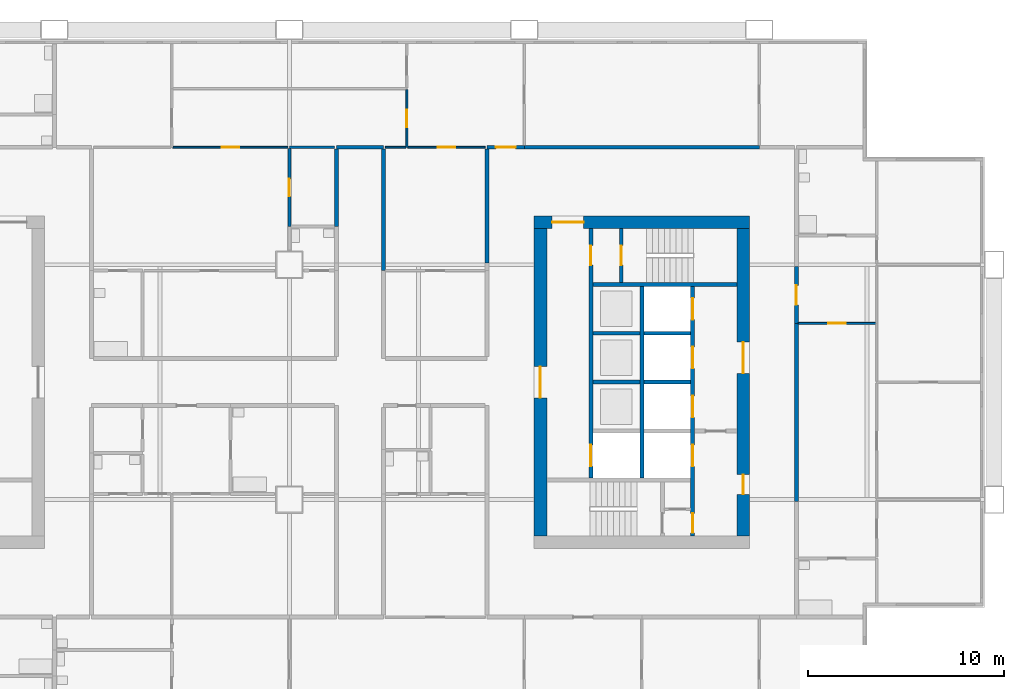
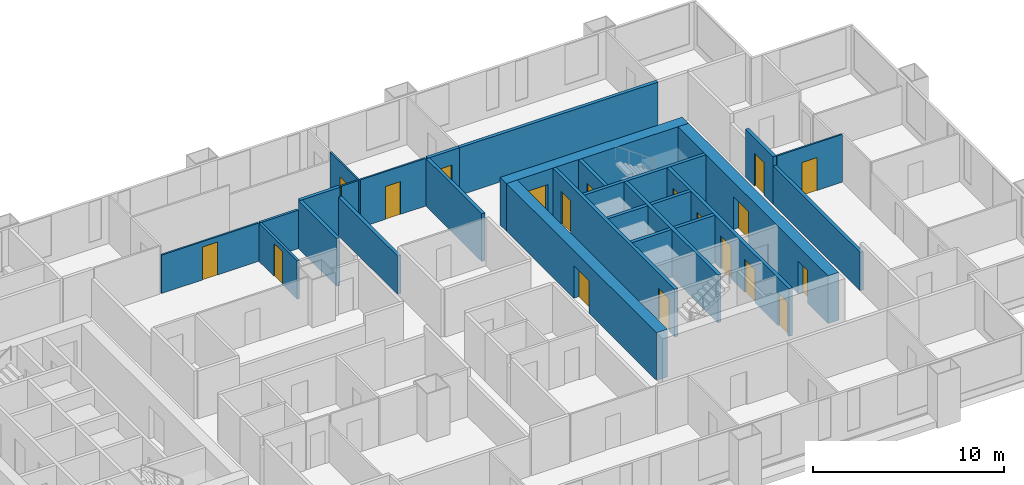
# One storey, part 7 of 13: 27 walls, 19 doors, 19 openings.
"""IFC4 building model written with IfcOpenShell, lengths in metres."""

from ifc_helpers import new_model, si_unit, direction, frame, frame_2d, origin, place, context, subcontext, project, spatial, rectangle, extrude, material, layer, layer_set, type_object, element, fill, save


model = new_model("IFC4")

# Units and contexts
model_context = context("Model", 3, precision=1e-05, world=origin(), true_north=direction((0.0, 1.0)))
body_context = subcontext(model_context, "Body", "Model", "MODEL_VIEW")
ifc_project = project(units=[si_unit("LENGTHUNIT", "METRE"), si_unit("AREAUNIT", "SQUARE_METRE"), si_unit("VOLUMEUNIT", "CUBIC_METRE"), si_unit("PLANEANGLEUNIT", "RADIAN"), si_unit("MASSUNIT", "GRAM", prefix="KILO")], contexts=[model_context])

# Site, building, storey
site_placement = place(None, origin())
site = spatial("IfcSite", under=ifc_project, at=site_placement, CompositionType="ELEMENT")
building_placement = place(site_placement, origin())
building = spatial("IfcBuilding", under=site, at=building_placement, Name="Kitamizu Gate Tower and Museum", CompositionType="ELEMENT")
storey_placement = place(building_placement, frame((0.0, 0.0, 144.89990234375)))
storey = spatial("IfcBuildingStorey", under=building, at=storey_placement, Name="L38", CompositionType="ELEMENT", Elevation=144.89990234375)

# Wall, opening, door
ifc_material_1 = material(Name="Concrete Fc60", Category="concrete")
ifc_layer_1 = layer(ifc_material_1, 0.64990234375)
ifc_layer_set_1 = layer_set([ifc_layer_1], Name="Concrete Fc60")
wall_type_1 = type_object("IfcWallType", Name="Core wall 650", PredefinedType="SHEAR", material=ifc_layer_set_1)
wall_1_placement = place(storey_placement, frame((59.5, 38.175048828125, 0.0), z_axis=(0.0, 0.0, 1.0), x_axis=(-1.0, 0.0, 0.0)))
wall_1 = element("IfcWall", 1, at=wall_1_placement, inside=storey, type_object=wall_type_1, Name="Core wall EN", PredefinedType="SHEAR", context=body_context, shape_type="SweptSolid", body=[
    extrude(rectangle(XDim=11.0, YDim=0.64990234375, at=frame_2d((5.5, 0.0))), origin(), (0.0, 0.0, 1.0), 3.050048828125),
])
opening_1_placement = place(wall_1_placement, frame((8.47509765625, 0.0, 0.0)))
opening_1 = element("IfcOpeningElement", 2, at=opening_1_placement, cuts=wall_1, Name="Opening L38-073", PredefinedType="OPENING", context=body_context, shape_type="SweptSolid", body=[
    extrude(rectangle(XDim=1.60009765625, YDim=2.10009765625, at=frame_2d((0.800048828125, 1.050048828125))), frame((0.0, 0.3349609375, 0.0), z_axis=(0.0, -1.0, 0.0), x_axis=(1.0, 0.0, 0.0)), (0.0, 0.0, 1.0), 0.669921875),
])
ifc_material_2 = material(Name="Timber door set", Category="wood")
door_type_1 = type_object("IfcDoorType", Name="Entrance door 1600", OperationType="DOUBLE_DOOR_SINGLE_SWING", PredefinedType="DOOR", material=ifc_material_2)
door_1_placement = place(opening_1_placement, origin())
door_1 = element("IfcDoor", 3, at=door_1_placement, inside=storey, type_object=door_type_1, Name="Lobby door L38-073", OperationType="DOUBLE_DOOR_SINGLE_SWING", OverallHeight=2.10009765625, OverallWidth=1.60009765625, PredefinedType="DOOR", context=body_context, shape_type="SweptSolid", body=[
    extrude(rectangle(XDim=1.60009765625, YDim=2.10009765625, at=frame_2d((0.800048828125, 1.050048828125))), frame((0.0, 0.02490234375, 0.0), z_axis=(0.0, -1.0, 0.0), x_axis=(1.0, 0.0, 0.0)), (0.0, 0.0, 1.0), 0.050048828125),
])
fill(opening_1, door_1)

# Wall, openings, doors
wall_2_placement = place(storey_placement, frame((59.175048828125, 22.14990234375, 0.0), z_axis=(0.0, 0.0, 1.0), x_axis=(0.0, 1.0, 0.0)))
wall_2 = element("IfcWall", 4, at=wall_2_placement, inside=storey, type_object=wall_type_1, Name="Core wall EOUT", PredefinedType="SHEAR", context=body_context, shape_type="SweptSolid", body=[
    extrude(rectangle(XDim=15.7001953125, YDim=0.64990234375, at=frame_2d((7.85009765625, 0.0))), origin(), (0.0, 0.0, 1.0), 3.050048828125),
])
opening_2_placement = place(wall_2_placement, frame((8.300048828125, 0.0, 0.0)))
opening_2 = element("IfcOpeningElement", 5, at=opening_2_placement, cuts=wall_2, Name="Opening L38-071", PredefinedType="OPENING", context=body_context, shape_type="SweptSolid", body=[
    extrude(rectangle(XDim=1.60009765625, YDim=2.10009765625, at=frame_2d((0.800048828125, 1.050048828125))), frame((0.0, 0.3349609375, 0.0), z_axis=(0.0, -1.0, 0.0), x_axis=(1.0, 0.0, 0.0)), (0.0, 0.0, 1.0), 0.669921875),
])
opening_3_placement = place(wall_2_placement, frame((2.125, 0.0, 0.0)))
opening_3 = element("IfcOpeningElement", 6, at=opening_3_placement, cuts=wall_2, Name="Opening L38-072", PredefinedType="OPENING", context=body_context, shape_type="SweptSolid", body=[
    extrude(rectangle(XDim=1.0, YDim=2.10009765625, at=frame_2d((0.5, 1.050048828125))), frame((0.0, 0.3349609375, 0.0), z_axis=(0.0, -1.0, 0.0), x_axis=(1.0, 0.0, 0.0)), (0.0, 0.0, 1.0), 0.669921875),
])
door_2_placement = place(opening_2_placement, origin())
door_2 = element("IfcDoor", 7, at=door_2_placement, inside=storey, type_object=door_type_1, Name="Lobby door L38-071", OperationType="DOUBLE_DOOR_SINGLE_SWING", OverallHeight=2.10009765625, OverallWidth=1.60009765625, PredefinedType="DOOR", context=body_context, shape_type="SweptSolid", body=[
    extrude(rectangle(XDim=1.60009765625, YDim=2.10009765625, at=frame_2d((0.800048828125, 1.050048828125))), frame((0.0, 0.02490234375, 0.0), z_axis=(0.0, -1.0, 0.0), x_axis=(1.0, 0.0, 0.0)), (0.0, 0.0, 1.0), 0.050048828125),
])
fill(opening_2, door_2)
ifc_material_3 = material(Name="Hollow metal door set")
door_type_2 = type_object("IfcDoorType", Name="Fire door 1000", OperationType="NOTDEFINED", PredefinedType="DOOR", material=ifc_material_3)
door_3_placement = place(opening_3_placement, origin())
door_3 = element("IfcDoor", 8, at=door_3_placement, inside=storey, type_object=door_type_2, Name="Fire-fighting lobby door L38-072", OperationType="SINGLE_SWING_LEFT", OverallHeight=2.10009765625, OverallWidth=1.0, PredefinedType="DOOR", context=body_context, shape_type="SweptSolid", body=[
    extrude(rectangle(XDim=1.0, YDim=2.10009765625, at=frame_2d((0.5, 1.050048828125))), frame((0.0, 0.02490234375, 0.0), z_axis=(0.0, -1.0, 0.0), x_axis=(1.0, 0.0, 0.0)), (0.0, 0.0, 1.0), 0.050048828125),
])
fill(opening_3, door_3)

# Wall, opening, door
wall_3_placement = place(storey_placement, frame((48.824951171875, 22.14990234375, 0.0), z_axis=(0.0, 0.0, 1.0), x_axis=(0.0, 1.0, 0.0)))
wall_3 = element("IfcWall", 9, at=wall_3_placement, inside=storey, type_object=wall_type_1, Name="Core wall EARC", PredefinedType="SHEAR", context=body_context, shape_type="SweptSolid", body=[
    extrude(rectangle(XDim=15.7001953125, YDim=0.64990234375, at=frame_2d((7.85009765625, 0.0))), origin(), (0.0, 0.0, 1.0), 3.050048828125),
])
opening_4_placement = place(wall_3_placement, frame((7.050048828125, 0.0, 0.0)))
opening_4 = element("IfcOpeningElement", 10, at=opening_4_placement, cuts=wall_3, Name="Opening L38-074", PredefinedType="OPENING", context=body_context, shape_type="SweptSolid", body=[
    extrude(rectangle(XDim=1.60009765625, YDim=2.10009765625, at=frame_2d((0.800048828125, 1.050048828125))), frame((0.0, 0.3349609375, 0.0), z_axis=(0.0, -1.0, 0.0), x_axis=(1.0, 0.0, 0.0)), (0.0, 0.0, 1.0), 0.669921875),
])
door_4_placement = place(opening_4_placement, origin())
door_4 = element("IfcDoor", 11, at=door_4_placement, inside=storey, type_object=door_type_1, Name="Lobby door L38-074", OperationType="DOUBLE_DOOR_SINGLE_SWING", OverallHeight=2.10009765625, OverallWidth=1.60009765625, PredefinedType="DOOR", context=body_context, shape_type="SweptSolid", body=[
    extrude(rectangle(XDim=1.60009765625, YDim=2.10009765625, at=frame_2d((0.800048828125, 1.050048828125))), frame((0.0, 0.02490234375, 0.0), z_axis=(0.0, -1.0, 0.0), x_axis=(1.0, 0.0, 0.0)), (0.0, 0.0, 1.0), 0.050048828125),
])
fill(opening_4, door_4)

ifc_material_4 = material(Name="Gypsum board on galvanised stud")
ifc_layer_2 = layer(ifc_material_4, 0.10009765625)
ifc_layer_set_2 = layer_set([ifc_layer_2], Name="Gypsum board on galvanised stud")
wall_type_2 = type_object("IfcWallType", Name="Partition 100 NOT RATED", PredefinedType="PARTITIONING", material=ifc_layer_set_2)
wall_4_placement = place(storey_placement, frame((65.949951171875, 33.0, 0.0), z_axis=(0.0, 0.0, 1.0), x_axis=(-1.0, 0.0, 0.0)))
wall_4 = element("IfcWall", 12, at=wall_4_placement, inside=storey, type_object=wall_type_2, Name="Partition L38-096", PredefinedType="PARTITIONING", context=body_context, shape_type="SweptSolid", body=[
    extrude(rectangle(XDim=3.949951171875, YDim=0.10009765625, at=frame_2d((1.97509765625, 0.0))), origin(), (0.0, 0.0, 1.0), 3.050048828125),
])
opening_5_placement = place(wall_4_placement, frame((1.52490234375, 0.0, 0.0)))
opening_5 = element("IfcOpeningElement", 13, at=opening_5_placement, cuts=wall_4, Name="Opening L38-031", PredefinedType="OPENING", context=body_context, shape_type="SweptSolid", body=[
    extrude(rectangle(XDim=0.89990234375, YDim=2.10009765625, at=frame_2d((0.449951171875, 1.050048828125))), frame((0.0, 0.06005859375, 0.0), z_axis=(0.0, -1.0, 0.0), x_axis=(1.0, 0.0, 0.0)), (0.0, 0.0, 1.0), 0.1201171875),
])
ifc_material_5 = material(Name="Timber door set", Category="wood")
door_type_3 = type_object("IfcDoorType", Name="Room door 900", OperationType="NOTDEFINED", PredefinedType="DOOR", material=ifc_material_5)
door_5_placement = place(opening_5_placement, frame((0.89990234375, 0.0, 0.0), x_axis=(-1.0, 0.0, 0.0)))
door_5 = element("IfcDoor", 14, at=door_5_placement, inside=storey, type_object=door_type_3, Name="Door L38-031", OperationType="SINGLE_SWING_LEFT", OverallHeight=2.10009765625, OverallWidth=0.89990234375, PredefinedType="DOOR", context=body_context, shape_type="SweptSolid", body=[
    extrude(rectangle(XDim=0.89990234375, YDim=2.10009765625, at=frame_2d((0.449951171875, 1.050048828125))), frame((0.0, 0.02490234375, 0.0), z_axis=(0.0, -1.0, 0.0), x_axis=(1.0, 0.0, 0.0)), (0.0, 0.0, 1.0), 0.050048828125),
])
fill(opening_5, door_5)

wall_5_placement = place(storey_placement, frame((42.0, 42.0, 0.0), z_axis=(0.0, 0.0, 1.0), x_axis=(0.0, 1.0, 0.0)))
wall_5 = element("IfcWall", 15, at=wall_5_placement, inside=storey, type_object=wall_type_2, Name="Partition L38-119", PredefinedType="PARTITIONING", context=body_context, shape_type="SweptSolid", body=[
    extrude(rectangle(XDim=2.949951171875, YDim=0.10009765625, at=frame_2d((1.47509765625, 0.0))), origin(), (0.0, 0.0, 1.0), 3.050048828125),
])
opening_6_placement = place(wall_5_placement, frame((1.02490234375, 0.0, 0.0)))
opening_6 = element("IfcOpeningElement", 16, at=opening_6_placement, cuts=wall_5, Name="Opening L38-044", PredefinedType="OPENING", context=body_context, shape_type="SweptSolid", body=[
    extrude(rectangle(XDim=0.89990234375, YDim=2.10009765625, at=frame_2d((0.449951171875, 1.050048828125))), frame((0.0, 0.06005859375, 0.0), z_axis=(0.0, -1.0, 0.0), x_axis=(1.0, 0.0, 0.0)), (0.0, 0.0, 1.0), 0.1201171875),
])
door_6_placement = place(opening_6_placement, origin())
door_6 = element("IfcDoor", 17, at=door_6_placement, inside=storey, type_object=door_type_3, Name="Door L38-044", OperationType="SINGLE_SWING_RIGHT", OverallHeight=2.10009765625, OverallWidth=0.89990234375, PredefinedType="DOOR", context=body_context, shape_type="SweptSolid", body=[
    extrude(rectangle(XDim=0.89990234375, YDim=2.10009765625, at=frame_2d((0.449951171875, 1.050048828125))), frame((0.0, 0.02490234375, 0.0), z_axis=(0.0, -1.0, 0.0), x_axis=(1.0, 0.0, 0.0)), (0.0, 0.0, 1.0), 0.050048828125),
])
fill(opening_6, door_6)

wall_6_placement = place(storey_placement, frame((30.050048828125, 42.0, 0.0), z_axis=(0.0, 0.0, 1.0), x_axis=(1.0, 0.0, 0.0)))
wall_6 = element("IfcWall", 18, at=wall_6_placement, inside=storey, type_object=wall_type_2, Name="Partition L38-120", PredefinedType="PARTITIONING", context=body_context, shape_type="SweptSolid", body=[
    extrude(rectangle(XDim=5.875, YDim=0.10009765625, at=frame_2d((2.9375, 0.0))), origin(), (0.0, 0.0, 1.0), 2.4501953125),
])
opening_7_placement = place(wall_6_placement, frame((2.487548828125, 0.0, 0.0)))
opening_7 = element("IfcOpeningElement", 19, at=opening_7_placement, cuts=wall_6, Name="Opening L38-049", PredefinedType="OPENING", context=body_context, shape_type="SweptSolid", body=[
    extrude(rectangle(XDim=0.89990234375, YDim=2.10009765625, at=frame_2d((0.449951171875, 1.050048828125))), frame((0.0, 0.06005859375, 0.0), z_axis=(0.0, -1.0, 0.0), x_axis=(1.0, 0.0, 0.0)), (0.0, 0.0, 1.0), 0.1201171875),
])
door_7_placement = place(opening_7_placement, origin())
door_7 = element("IfcDoor", 20, at=door_7_placement, inside=storey, type_object=door_type_3, Name="Door L38-049", OperationType="SINGLE_SWING_RIGHT", OverallHeight=2.10009765625, OverallWidth=0.89990234375, PredefinedType="DOOR", context=body_context, shape_type="SweptSolid", body=[
    extrude(rectangle(XDim=0.89990234375, YDim=2.10009765625, at=frame_2d((0.449951171875, 1.050048828125))), frame((0.0, 0.02490234375, 0.0), z_axis=(0.0, -1.0, 0.0), x_axis=(1.0, 0.0, 0.0)), (0.0, 0.0, 1.0), 0.050048828125),
])
fill(opening_7, door_7)

# Wall
wall_7_placement = place(storey_placement, frame((40.89990234375, 42.0, 0.0), z_axis=(0.0, 0.0, 1.0), x_axis=(1.0, 0.0, 0.0)))
element("IfcWall", 21, at=wall_7_placement, inside=storey, type_object=wall_type_2, Name="Partition L38-122", PredefinedType="PARTITIONING", context=body_context, shape_type="SweptSolid", body=[
    extrude(rectangle(XDim=1.050048828125, YDim=0.10009765625, at=frame_2d((0.52490234375, 0.0))), origin(), (0.0, 0.0, 1.0), 3.050048828125),
])

# Wall, opening, door
wall_8_placement = place(storey_placement, frame((42.050048828125, 42.0, 0.0), z_axis=(0.0, 0.0, 1.0), x_axis=(1.0, 0.0, 0.0)))
wall_8 = element("IfcWall", 22, at=wall_8_placement, inside=storey, type_object=wall_type_2, Name="Partition L38-126", PredefinedType="PARTITIONING", context=body_context, shape_type="SweptSolid", body=[
    extrude(rectangle(XDim=3.949951171875, YDim=0.10009765625, at=frame_2d((1.97509765625, 0.0))), origin(), (0.0, 0.0, 1.0), 3.050048828125),
])
opening_8_placement = place(wall_8_placement, frame((1.52490234375, 0.0, 0.0)))
opening_8 = element("IfcOpeningElement", 23, at=opening_8_placement, cuts=wall_8, Name="Opening L38-047", PredefinedType="OPENING", context=body_context, shape_type="SweptSolid", body=[
    extrude(rectangle(XDim=0.89990234375, YDim=2.10009765625, at=frame_2d((0.449951171875, 1.050048828125))), frame((0.0, 0.06005859375, 0.0), z_axis=(0.0, -1.0, 0.0), x_axis=(1.0, 0.0, 0.0)), (0.0, 0.0, 1.0), 0.1201171875),
])
door_8_placement = place(opening_8_placement, frame((0.89990234375, 0.0, 0.0), x_axis=(-1.0, 0.0, 0.0)))
door_8 = element("IfcDoor", 24, at=door_8_placement, inside=storey, type_object=door_type_3, Name="Door L38-047", OperationType="SINGLE_SWING_RIGHT", OverallHeight=2.10009765625, OverallWidth=0.89990234375, PredefinedType="DOOR", context=body_context, shape_type="SweptSolid", body=[
    extrude(rectangle(XDim=0.89990234375, YDim=2.10009765625, at=frame_2d((0.449951171875, 1.050048828125))), frame((0.0, 0.02490234375, 0.0), z_axis=(0.0, -1.0, 0.0), x_axis=(1.0, 0.0, 0.0)), (0.0, 0.0, 1.0), 0.050048828125),
])
fill(opening_8, door_8)

# Wall
ifc_material_6 = material(Name="Gypsum board on galvanised stud")
ifc_layer_3 = layer(ifc_material_6, 0.14990234375)
ifc_layer_set_3 = layer_set([ifc_layer_3], Name="Gypsum board on galvanised stud")
wall_type_3 = type_object("IfcWallType", Name="Partition 150", PredefinedType="PARTITIONING", material=ifc_layer_set_3)
wall_9_placement = place(storey_placement, frame((36.0, 42.0, 0.0), z_axis=(0.0, 0.0, 1.0), x_axis=(1.0, 0.0, 0.0)))
element("IfcWall", 25, at=wall_9_placement, inside=storey, type_object=wall_type_3, Name="Partition L38-121", PredefinedType="PARTITIONING", context=body_context, shape_type="SweptSolid", body=[
    extrude(rectangle(XDim=2.300048828125, YDim=0.14990234375, at=frame_2d((1.14990234375, 0.0))), origin(), (0.0, 0.0, 1.0), 2.4501953125),
])

# Wall, opening, door
wall_10_placement = place(storey_placement, frame((36.0, 37.949951171875, 0.0), z_axis=(0.0, 0.0, 1.0), x_axis=(0.0, 1.0, 0.0)))
wall_10 = element("IfcWall", 26, at=wall_10_placement, inside=storey, type_object=wall_type_3, Name="Partition L38-132", PredefinedType="PARTITIONING", context=body_context, shape_type="SweptSolid", body=[
    extrude(rectangle(XDim=3.97509765625, YDim=0.14990234375, at=frame_2d((1.987548828125, 0.0))), origin(), (0.0, 0.0, 1.0), 2.4501953125),
])
opening_9_placement = place(wall_10_placement, frame((1.53759765625, 0.0, 0.0)))
opening_9 = element("IfcOpeningElement", 27, at=opening_9_placement, cuts=wall_10, Name="Opening L38-050", PredefinedType="OPENING", context=body_context, shape_type="SweptSolid", body=[
    extrude(rectangle(XDim=0.89990234375, YDim=2.10009765625, at=frame_2d((0.449951171875, 1.050048828125))), frame((0.0, 0.0849609375, 0.0), z_axis=(0.0, -1.0, 0.0), x_axis=(1.0, 0.0, 0.0)), (0.0, 0.0, 1.0), 0.169921875),
])
ifc_material_7 = material(Name="Timber door set", Category="wood")
door_type_4 = type_object("IfcDoorType", Name="Bathroom door 900", OperationType="NOTDEFINED", PredefinedType="DOOR", material=ifc_material_7)
door_9_placement = place(opening_9_placement, frame((0.89990234375, 0.0, 0.0), x_axis=(-1.0, 0.0, 0.0)))
door_9 = element("IfcDoor", 28, at=door_9_placement, inside=storey, type_object=door_type_4, Name="Bathroom door L38-050", OperationType="SINGLE_SWING_RIGHT", OverallHeight=2.10009765625, OverallWidth=0.89990234375, PredefinedType="DOOR", context=body_context, shape_type="SweptSolid", body=[
    extrude(rectangle(XDim=0.89990234375, YDim=2.10009765625, at=frame_2d((0.449951171875, 1.050048828125))), frame((0.0, 0.02490234375, 0.0), z_axis=(0.0, -1.0, 0.0), x_axis=(1.0, 0.0, 0.0)), (0.0, 0.0, 1.0), 0.050048828125),
])
fill(opening_9, door_9)

# Wall
ifc_material_8 = material(Name="Gypsum board on galvanised stud")
ifc_layer_4 = layer(ifc_material_8, 0.199951171875)
ifc_layer_set_4 = layer_set([ifc_layer_4], Name="Gypsum board on galvanised stud")
wall_type_4 = type_object("IfcWallType", Name="Partition 200", PredefinedType="PARTITIONING", material=ifc_layer_set_4)
wall_11_placement = place(storey_placement, frame((61.89990234375, 33.0, 0.0), z_axis=(0.0, 0.0, 1.0), x_axis=(0.0, -1.0, 0.0)))
element("IfcWall", 29, at=wall_11_placement, inside=storey, type_object=wall_type_4, Name="Partition L38-097", PredefinedType="PARTITIONING", context=body_context, shape_type="SweptSolid", body=[
    extrude(rectangle(XDim=9.10009765625, YDim=0.199951171875, at=frame_2d((4.550048828125, 0.0))), origin(), (0.0, 0.0, 1.0), 2.4501953125),
])

# Wall, opening, door
wall_12_placement = place(storey_placement, frame((61.89990234375, 35.89990234375, 0.0), z_axis=(0.0, 0.0, 1.0), x_axis=(0.0, -1.0, 0.0)))
wall_12 = element("IfcWall", 30, at=wall_12_placement, inside=storey, type_object=wall_type_4, Name="Partition L38-101", PredefinedType="PARTITIONING", context=body_context, shape_type="SweptSolid", body=[
    extrude(rectangle(XDim=2.89990234375, YDim=0.199951171875, at=frame_2d((1.449951171875, 0.0))), origin(), (0.0, 0.0, 1.0), 3.050048828125),
])
opening_10_placement = place(wall_12_placement, frame((0.949951171875, 0.0, 0.0)))
opening_10 = element("IfcOpeningElement", 31, at=opening_10_placement, cuts=wall_12, Name="Opening L38-030", PredefinedType="OPENING", context=body_context, shape_type="SweptSolid", body=[
    extrude(rectangle(XDim=1.0, YDim=2.10009765625, at=frame_2d((0.5, 1.050048828125))), frame((0.0, 0.10986328125, 0.0), z_axis=(0.0, -1.0, 0.0), x_axis=(1.0, 0.0, 0.0)), (0.0, 0.0, 1.0), 0.219970703125),
])
ifc_material_9 = material(Name="Timber door set", Category="wood")
door_type_5 = type_object("IfcDoorType", Name="Flat entrance door 1000", OperationType="NOTDEFINED", PredefinedType="DOOR", material=ifc_material_9)
door_10_placement = place(opening_10_placement, origin())
door_10 = element("IfcDoor", 32, at=door_10_placement, inside=storey, type_object=door_type_5, Name="Flat entrance door L38-030", OperationType="SINGLE_SWING_LEFT", OverallHeight=2.10009765625, OverallWidth=1.0, PredefinedType="DOOR", context=body_context, shape_type="SweptSolid", body=[
    extrude(rectangle(XDim=1.0, YDim=2.10009765625, at=frame_2d((0.5, 1.050048828125))), frame((0.0, 0.02490234375, 0.0), z_axis=(0.0, -1.0, 0.0), x_axis=(1.0, 0.0, 0.0)), (0.0, 0.0, 1.0), 0.050048828125),
])
fill(opening_10, door_10)

# Wall
wall_13_placement = place(storey_placement, frame((38.39990234375, 42.0, 0.0), z_axis=(0.0, 0.0, 1.0), x_axis=(1.0, 0.0, 0.0)))
element("IfcWall", 33, at=wall_13_placement, inside=storey, type_object=wall_type_4, Name="Partition L38-123", PredefinedType="PARTITIONING", context=body_context, shape_type="SweptSolid", body=[
    extrude(rectangle(XDim=2.400146484375, YDim=0.199951171875, at=frame_2d((1.2001953125, 0.0))), origin(), (0.0, 0.0, 1.0), 3.050048828125),
])

# Wall, opening, door
wall_14_placement = place(storey_placement, frame((46.10009765625, 42.0, 0.0), z_axis=(0.0, 0.0, 1.0), x_axis=(1.0, 0.0, 0.0)))
wall_14 = element("IfcWall", 34, at=wall_14_placement, inside=storey, type_object=wall_type_4, Name="Partition L38-127", PredefinedType="PARTITIONING", context=body_context, shape_type="SweptSolid", body=[
    extrude(rectangle(XDim=1.89990234375, YDim=0.199951171875, at=frame_2d((0.949951171875, 0.0))), origin(), (0.0, 0.0, 1.0), 3.050048828125),
])
opening_11_placement = place(wall_14_placement, frame((0.449951171875, 0.0, 0.0)))
opening_11 = element("IfcOpeningElement", 35, at=opening_11_placement, cuts=wall_14, Name="Opening L38-042", PredefinedType="OPENING", context=body_context, shape_type="SweptSolid", body=[
    extrude(rectangle(XDim=1.0, YDim=2.10009765625, at=frame_2d((0.5, 1.050048828125))), frame((0.0, 0.10986328125, 0.0), z_axis=(0.0, -1.0, 0.0), x_axis=(1.0, 0.0, 0.0)), (0.0, 0.0, 1.0), 0.219970703125),
])
door_11_placement = place(opening_11_placement, origin())
door_11 = element("IfcDoor", 36, at=door_11_placement, inside=storey, type_object=door_type_5, Name="Flat entrance door L38-042", OperationType="SINGLE_SWING_LEFT", OverallHeight=2.10009765625, OverallWidth=1.0, PredefinedType="DOOR", context=body_context, shape_type="SweptSolid", body=[
    extrude(rectangle(XDim=1.0, YDim=2.10009765625, at=frame_2d((0.5, 1.050048828125))), frame((0.0, 0.02490234375, 0.0), z_axis=(0.0, -1.0, 0.0), x_axis=(1.0, 0.0, 0.0)), (0.0, 0.0, 1.0), 0.050048828125),
])
fill(opening_11, door_11)

# Walls
wall_15_placement = place(storey_placement, frame((48.0, 42.0, 0.0), z_axis=(0.0, 0.0, 1.0), x_axis=(1.0, 0.0, 0.0)))
element("IfcWall", 37, at=wall_15_placement, inside=storey, type_object=wall_type_4, Name="Partition L38-129", PredefinedType="PARTITIONING", context=body_context, shape_type="SweptSolid", body=[
    extrude(rectangle(XDim=12.0, YDim=0.199951171875, at=frame_2d((6.0, 0.0))), origin(), (0.0, 0.0, 1.0), 3.050048828125),
])
wall_16_placement = place(storey_placement, frame((38.39990234375, 37.949951171875, 0.0), z_axis=(0.0, 0.0, 1.0), x_axis=(0.0, 1.0, 0.0)))
element("IfcWall", 38, at=wall_16_placement, inside=storey, type_object=wall_type_4, Name="Partition L38-140", PredefinedType="PARTITIONING", context=body_context, shape_type="SweptSolid", body=[
    extrude(rectangle(XDim=3.949951171875, YDim=0.199951171875, at=frame_2d((1.97509765625, 0.0))), origin(), (0.0, 0.0, 1.0), 3.050048828125),
])
wall_17_placement = place(storey_placement, frame((40.800048828125, 41.89990234375, 0.0), z_axis=(0.0, 0.0, 1.0), x_axis=(0.0, -1.0, 0.0)))
element("IfcWall", 39, at=wall_17_placement, inside=storey, type_object=wall_type_4, Name="Partition L38-148", PredefinedType="PARTITIONING", context=body_context, shape_type="SweptSolid", body=[
    extrude(rectangle(XDim=6.199951171875, YDim=0.199951171875, at=frame_2d((3.10009765625, 0.0))), origin(), (0.0, 0.0, 1.0), 2.4501953125),
])
wall_18_placement = place(storey_placement, frame((46.10009765625, 36.10009765625, 0.0), z_axis=(0.0, 0.0, 1.0), x_axis=(0.0, 1.0, 0.0)))
element("IfcWall", 40, at=wall_18_placement, inside=storey, type_object=wall_type_4, Name="Partition L38-150", PredefinedType="PARTITIONING", context=body_context, shape_type="SweptSolid", body=[
    extrude(rectangle(XDim=5.7998046875, YDim=0.199951171875, at=frame_2d((2.89990234375, 0.0))), origin(), (0.0, 0.0, 1.0), 3.050048828125),
])

# Wall, openings, doors
ifc_material_10 = material(Name="Concrete Fc42", Category="concrete")
ifc_layer_5 = layer(ifc_material_10, 0.199951171875)
ifc_layer_set_5 = layer_set([ifc_layer_5], Name="Concrete Fc42")
wall_type_5 = type_object("IfcWallType", Name="Shaft wall 200", PredefinedType="SOLIDWALL", material=ifc_layer_set_5)
wall_19_placement = place(storey_placement, frame((56.60009765625, 22.14990234375, 0.0), z_axis=(0.0, 0.0, 1.0), x_axis=(0.0, 1.0, 0.0)))
wall_19 = element("IfcWall", 41, at=wall_19_placement, inside=storey, type_object=wall_type_5, Name="Shaft wall EWEST", PredefinedType="SOLIDWALL", context=body_context, shape_type="SweptSolid", body=[
    extrude(rectangle(XDim=12.75, YDim=0.199951171875, at=frame_2d((6.375, 0.0))), origin(), (0.0, 0.0, 1.0), 3.050048828125),
])
opening_12_placement = place(wall_19_placement, frame((3.550048828125, 0.0, 0.0)))
opening_12 = element("IfcOpeningElement", 42, at=opening_12_placement, cuts=wall_19, Name="Opening LD", PredefinedType="OPENING", context=body_context, shape_type="SweptSolid", body=[
    extrude(rectangle(XDim=1.10009765625, YDim=2.10009765625, at=frame_2d((0.550048828125, 1.050048828125))), frame((0.0, 0.10986328125, 0.0), z_axis=(0.0, -1.0, 0.0), x_axis=(1.0, 0.0, 0.0)), (0.0, 0.0, 1.0), 0.219970703125),
])
opening_13_placement = place(wall_19_placement, frame((6.050048828125, 0.0, 0.0)))
opening_13 = element("IfcOpeningElement", 43, at=opening_13_placement, cuts=wall_19, Name="Opening LD", PredefinedType="OPENING", context=body_context, shape_type="SweptSolid", body=[
    extrude(rectangle(XDim=1.10009765625, YDim=2.10009765625, at=frame_2d((0.550048828125, 1.050048828125))), frame((0.0, 0.10986328125, 0.0), z_axis=(0.0, -1.0, 0.0), x_axis=(1.0, 0.0, 0.0)), (0.0, 0.0, 1.0), 0.219970703125),
])
opening_14_placement = place(wall_19_placement, frame((8.550048828125, 0.0, 0.0)))
opening_14 = element("IfcOpeningElement", 44, at=opening_14_placement, cuts=wall_19, Name="Opening LD", PredefinedType="OPENING", context=body_context, shape_type="SweptSolid", body=[
    extrude(rectangle(XDim=1.10009765625, YDim=2.10009765625, at=frame_2d((0.550048828125, 1.050048828125))), frame((0.0, 0.10986328125, 0.0), z_axis=(0.0, -1.0, 0.0), x_axis=(1.0, 0.0, 0.0)), (0.0, 0.0, 1.0), 0.219970703125),
])
opening_15_placement = place(wall_19_placement, frame((11.050048828125, 0.0, 0.0)))
opening_15 = element("IfcOpeningElement", 45, at=opening_15_placement, cuts=wall_19, Name="Opening LD", PredefinedType="OPENING", context=body_context, shape_type="SweptSolid", body=[
    extrude(rectangle(XDim=1.10009765625, YDim=2.10009765625, at=frame_2d((0.550048828125, 1.050048828125))), frame((0.0, 0.10986328125, 0.0), z_axis=(0.0, -1.0, 0.0), x_axis=(1.0, 0.0, 0.0)), (0.0, 0.0, 1.0), 0.219970703125),
])
opening_16_placement = place(wall_19_placement, frame((0.14990234375, 0.0, 0.0)))
opening_16 = element("IfcOpeningElement", 46, at=opening_16_placement, cuts=wall_19, Name="Opening L38-066", PredefinedType="OPENING", context=body_context, shape_type="SweptSolid", body=[
    extrude(rectangle(XDim=1.0, YDim=2.10009765625, at=frame_2d((0.5, 1.050048828125))), frame((0.0, 0.10986328125, 0.0), z_axis=(0.0, -1.0, 0.0), x_axis=(1.0, 0.0, 0.0)), (0.0, 0.0, 1.0), 0.219970703125),
])
door_12_placement = place(opening_16_placement, origin())
door_12 = element("IfcDoor", 47, at=door_12_placement, inside=storey, type_object=door_type_2, Name="Stair lobby door L38-066", OperationType="SINGLE_SWING_RIGHT", OverallHeight=2.10009765625, OverallWidth=1.0, PredefinedType="DOOR", context=body_context, shape_type="SweptSolid", body=[
    extrude(rectangle(XDim=1.0, YDim=2.10009765625, at=frame_2d((0.5, 1.050048828125))), frame((0.0, 0.02490234375, 0.0), z_axis=(0.0, -1.0, 0.0), x_axis=(1.0, 0.0, 0.0)), (0.0, 0.0, 1.0), 0.050048828125),
])
fill(opening_16, door_12)
ifc_material_11 = material(Name="Hollow metal door set")
door_type_6 = type_object("IfcDoorType", Name="Landing door 1100", OperationType="SLIDING_TO_LEFT", PredefinedType="DOOR", material=ifc_material_11)
door_13_placement = place(opening_12_placement, origin())
door_13 = element("IfcDoor", 48, at=door_13_placement, inside=storey, type_object=door_type_6, Name="Landing door EFF1", OperationType="SLIDING_TO_LEFT", OverallHeight=2.10009765625, OverallWidth=1.10009765625, PredefinedType="DOOR", context=body_context, shape_type="SweptSolid", body=[
    extrude(rectangle(XDim=1.10009765625, YDim=2.10009765625, at=frame_2d((0.550048828125, 1.050048828125))), frame((0.0, 0.02490234375, 0.0), z_axis=(0.0, -1.0, 0.0), x_axis=(1.0, 0.0, 0.0)), (0.0, 0.0, 1.0), 0.050048828125),
])
fill(opening_12, door_13)
door_14_placement = place(opening_13_placement, origin())
door_14 = element("IfcDoor", 49, at=door_14_placement, inside=storey, type_object=door_type_6, Name="Landing door EL1", OperationType="SLIDING_TO_LEFT", OverallHeight=2.10009765625, OverallWidth=1.10009765625, PredefinedType="DOOR", context=body_context, shape_type="SweptSolid", body=[
    extrude(rectangle(XDim=1.10009765625, YDim=2.10009765625, at=frame_2d((0.550048828125, 1.050048828125))), frame((0.0, 0.02490234375, 0.0), z_axis=(0.0, -1.0, 0.0), x_axis=(1.0, 0.0, 0.0)), (0.0, 0.0, 1.0), 0.050048828125),
])
fill(opening_13, door_14)
door_15_placement = place(opening_14_placement, origin())
door_15 = element("IfcDoor", 50, at=door_15_placement, inside=storey, type_object=door_type_6, Name="Landing door EL2", OperationType="SLIDING_TO_LEFT", OverallHeight=2.10009765625, OverallWidth=1.10009765625, PredefinedType="DOOR", context=body_context, shape_type="SweptSolid", body=[
    extrude(rectangle(XDim=1.10009765625, YDim=2.10009765625, at=frame_2d((0.550048828125, 1.050048828125))), frame((0.0, 0.02490234375, 0.0), z_axis=(0.0, -1.0, 0.0), x_axis=(1.0, 0.0, 0.0)), (0.0, 0.0, 1.0), 0.050048828125),
])
fill(opening_14, door_15)
door_16_placement = place(opening_15_placement, origin())
door_16 = element("IfcDoor", 51, at=door_16_placement, inside=storey, type_object=door_type_6, Name="Landing door EL3", OperationType="SLIDING_TO_LEFT", OverallHeight=2.10009765625, OverallWidth=1.10009765625, PredefinedType="DOOR", context=body_context, shape_type="SweptSolid", body=[
    extrude(rectangle(XDim=1.10009765625, YDim=2.10009765625, at=frame_2d((0.550048828125, 1.050048828125))), frame((0.0, 0.02490234375, 0.0), z_axis=(0.0, -1.0, 0.0), x_axis=(1.0, 0.0, 0.0)), (0.0, 0.0, 1.0), 0.050048828125),
])
fill(opening_15, door_16)

wall_20_placement = place(storey_placement, frame((51.39990234375, 25.10009765625, 0.0), z_axis=(0.0, 0.0, 1.0), x_axis=(0.0, 1.0, 0.0)))
wall_20 = element("IfcWall", 52, at=wall_20_placement, inside=storey, type_object=wall_type_5, Name="Shaft wall EEAST", PredefinedType="SOLIDWALL", context=body_context, shape_type="SweptSolid", body=[
    extrude(rectangle(XDim=12.75, YDim=0.199951171875, at=frame_2d((6.375, 0.0))), origin(), (0.0, 0.0, 1.0), 3.050048828125),
])
opening_17_placement = place(wall_20_placement, frame((0.60009765625, 0.0, 0.0)))
opening_17 = element("IfcOpeningElement", 53, at=opening_17_placement, cuts=wall_20, Name="Opening LD", PredefinedType="OPENING", context=body_context, shape_type="SweptSolid", body=[
    extrude(rectangle(XDim=1.10009765625, YDim=2.10009765625, at=frame_2d((0.550048828125, 1.050048828125))), frame((0.0, 0.10986328125, 0.0), z_axis=(0.0, -1.0, 0.0), x_axis=(1.0, 0.0, 0.0)), (0.0, 0.0, 1.0), 0.219970703125),
])
opening_18_placement = place(wall_20_placement, frame((10.875, 0.0, 0.0)))
opening_18 = element("IfcOpeningElement", 54, at=opening_18_placement, cuts=wall_20, Name="Opening L38-067", PredefinedType="OPENING", context=body_context, shape_type="SweptSolid", body=[
    extrude(rectangle(XDim=1.0, YDim=2.10009765625, at=frame_2d((0.5, 1.050048828125))), frame((0.0, 0.10986328125, 0.0), z_axis=(0.0, -1.0, 0.0), x_axis=(1.0, 0.0, 0.0)), (0.0, 0.0, 1.0), 0.219970703125),
])
door_17_placement = place(opening_18_placement, frame((1.0, 0.0, 0.0), x_axis=(-1.0, 0.0, 0.0)))
door_17 = element("IfcDoor", 55, at=door_17_placement, inside=storey, type_object=door_type_2, Name="Stair lobby door L38-067", OperationType="SINGLE_SWING_RIGHT", OverallHeight=2.10009765625, OverallWidth=1.0, PredefinedType="DOOR", context=body_context, shape_type="SweptSolid", body=[
    extrude(rectangle(XDim=1.0, YDim=2.10009765625, at=frame_2d((0.5, 1.050048828125))), frame((0.0, 0.02490234375, 0.0), z_axis=(0.0, -1.0, 0.0), x_axis=(1.0, 0.0, 0.0)), (0.0, 0.0, 1.0), 0.050048828125),
])
fill(opening_18, door_17)
door_18_placement = place(opening_17_placement, origin())
door_18 = element("IfcDoor", 56, at=door_18_placement, inside=storey, type_object=door_type_6, Name="Landing door ESV1", OperationType="SLIDING_TO_LEFT", OverallHeight=2.10009765625, OverallWidth=1.10009765625, PredefinedType="DOOR", context=body_context, shape_type="SweptSolid", body=[
    extrude(rectangle(XDim=1.10009765625, YDim=2.10009765625, at=frame_2d((0.550048828125, 1.050048828125))), frame((0.0, 0.02490234375, 0.0), z_axis=(0.0, -1.0, 0.0), x_axis=(1.0, 0.0, 0.0)), (0.0, 0.0, 1.0), 0.050048828125),
])
fill(opening_17, door_18)

# Walls
wall_21_placement = place(storey_placement, frame((54.0, 25.10009765625, 0.0), z_axis=(0.0, 0.0, 1.0), x_axis=(0.0, 1.0, 0.0)))
element("IfcWall", 57, at=wall_21_placement, inside=storey, type_object=wall_type_5, Name="Shaft wall EMID", PredefinedType="SOLIDWALL", context=body_context, shape_type="SweptSolid", body=[
    extrude(rectangle(XDim=9.7998046875, YDim=0.199951171875, at=frame_2d((4.89990234375, 0.0))), origin(), (0.0, 0.0, 1.0), 3.050048828125),
])
wall_22_placement = place(storey_placement, frame((58.85009765625, 35.0, 0.0), z_axis=(0.0, 0.0, 1.0), x_axis=(-1.0, 0.0, 0.0)))
element("IfcWall", 58, at=wall_22_placement, inside=storey, type_object=wall_type_5, Name="Shaft wall ENB", PredefinedType="SOLIDWALL", context=body_context, shape_type="SweptSolid", body=[
    extrude(rectangle(XDim=7.35009765625, YDim=0.199951171875, at=frame_2d((3.675048828125, 0.0))), origin(), (0.0, 0.0, 1.0), 3.050048828125),
])

# Wall, opening, door
wall_23_placement = place(storey_placement, frame((52.949951171875, 35.10009765625, 0.0), z_axis=(0.0, 0.0, 1.0), x_axis=(0.0, 1.0, 0.0)))
wall_23 = element("IfcWall", 59, at=wall_23_placement, inside=storey, type_object=wall_type_5, Name="Shaft wall ENZ", PredefinedType="SOLIDWALL", context=body_context, shape_type="SweptSolid", body=[
    extrude(rectangle(XDim=2.75, YDim=0.199951171875, at=frame_2d((1.375, 0.0))), origin(), (0.0, 0.0, 1.0), 3.050048828125),
])
opening_19_placement = place(wall_23_placement, frame((0.875, 0.0, 0.0)))
opening_19 = element("IfcOpeningElement", 60, at=opening_19_placement, cuts=wall_23, Name="Opening L38-068", PredefinedType="OPENING", context=body_context, shape_type="SweptSolid", body=[
    extrude(rectangle(XDim=1.0, YDim=2.10009765625, at=frame_2d((0.5, 1.050048828125))), frame((0.0, 0.10986328125, 0.0), z_axis=(0.0, -1.0, 0.0), x_axis=(1.0, 0.0, 0.0)), (0.0, 0.0, 1.0), 0.219970703125),
])
door_19_placement = place(opening_19_placement, frame((1.0, 0.0, 0.0), x_axis=(-1.0, 0.0, 0.0)))
door_19 = element("IfcDoor", 61, at=door_19_placement, inside=storey, type_object=door_type_2, Name="Stair door L38-068", OperationType="SINGLE_SWING_LEFT", OverallHeight=2.10009765625, OverallWidth=1.0, PredefinedType="DOOR", context=body_context, shape_type="SweptSolid", body=[
    extrude(rectangle(XDim=1.0, YDim=2.10009765625, at=frame_2d((0.5, 1.050048828125))), frame((0.0, 0.02490234375, 0.0), z_axis=(0.0, -1.0, 0.0), x_axis=(1.0, 0.0, 0.0)), (0.0, 0.0, 1.0), 0.050048828125),
])
fill(opening_19, door_19)

# Walls
for number, where, z_axis, x_axis, name in (
    (62, (56.5, 30.0, 0.0), (0.0, 0.0, 1.0), (-1.0, 0.0, 0.0), "Shaft wall EDVW1"),
    (63, (56.5, 32.5, 0.0), (0.0, 0.0, 1.0), (-1.0, 0.0, 0.0), "Shaft wall EDVW2"),
    (64, (53.89990234375, 30.0, 0.0), (0.0, 0.0, 1.0), (-1.0, 0.0, 0.0), "Shaft wall EDVE1"),
    (65, (53.89990234375, 32.5, 0.0), (0.0, 0.0, 1.0), (-1.0, 0.0, 0.0), "Shaft wall EDVE2"),
):
    element("IfcWall", number, at=place(storey_placement, frame(where, z_axis=z_axis, x_axis=x_axis)), inside=storey, type_object=wall_type_5, Name=name, PredefinedType="SOLIDWALL", context=body_context, shape_type="SweptSolid", body=[
        extrude(rectangle(XDim=2.39990234375, YDim=0.199951171875, at=frame_2d((1.199951171875, 0.0))), origin(), (0.0, 0.0, 1.0), 3.050048828125),
    ])

save(model, "model.ifc")
